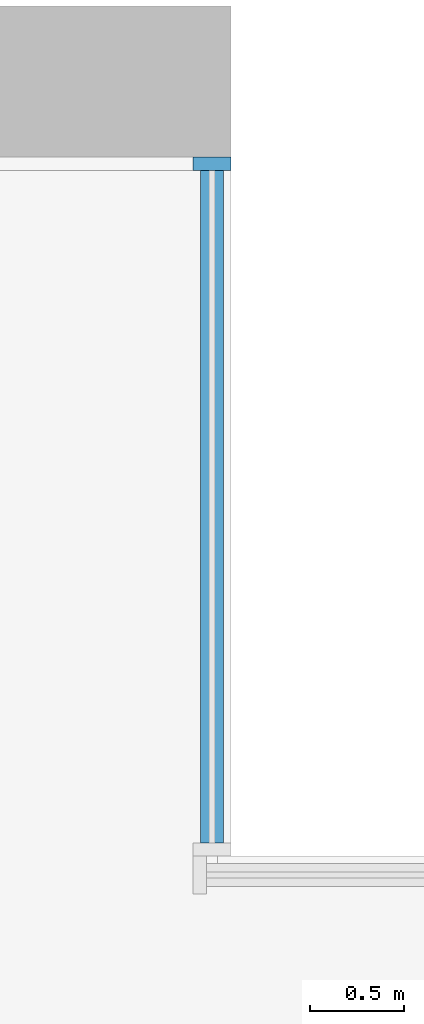
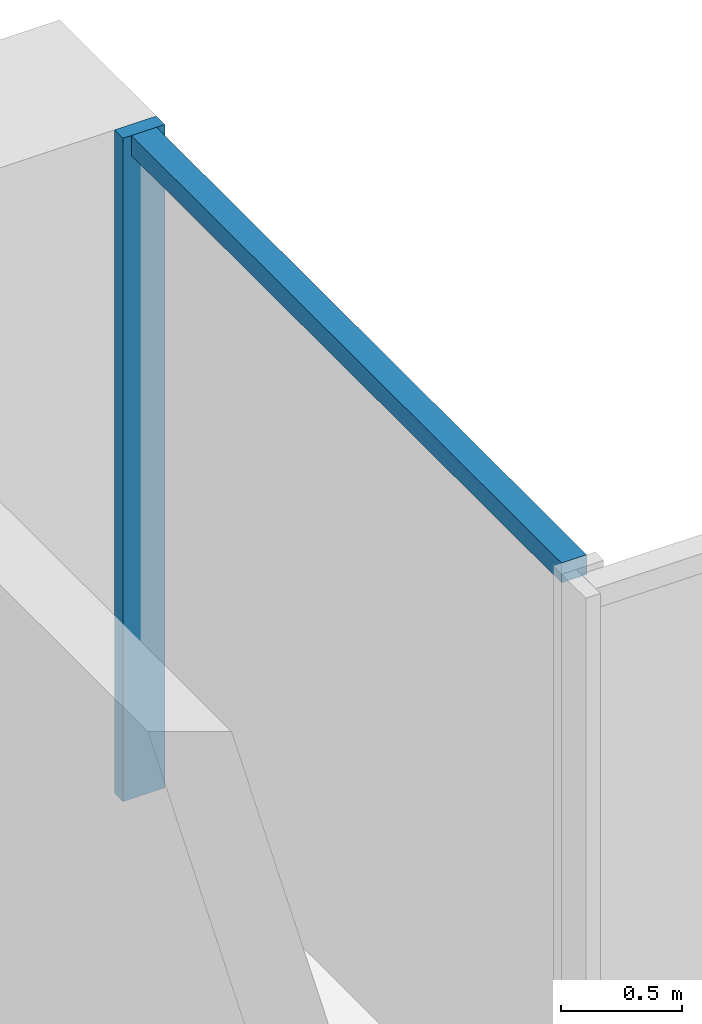
# One storey, part 6 of 15: 2 members, 1 element without a shape of its own.
"""IFC4 building model written with IfcOpenShell, lengths in metres."""

from ifc_helpers import new_model, si_unit, direction, frame, origin, origin_2d, place, context, subcontext, project, spatial, rectangle, extrude, material, material_profile, profile_set, type_object, element, aggregate, save


model = new_model("IFC4")

# Units and contexts
model_context = context("Model", 3, precision=1e-05, world=origin(), true_north=direction((0.0, 1.0)))
body_context = subcontext(model_context, "Body", "Model", "MODEL_VIEW")
ifc_project = project(units=[si_unit("LENGTHUNIT", "METRE"), si_unit("AREAUNIT", "SQUARE_METRE"), si_unit("VOLUMEUNIT", "CUBIC_METRE"), si_unit("PLANEANGLEUNIT", "RADIAN"), si_unit("MASSUNIT", "GRAM", prefix="KILO")], contexts=[model_context])

# Site, building, storey
site_placement = place(None, origin())
site = spatial("IfcSite", under=ifc_project, at=site_placement, CompositionType="ELEMENT")
building_placement = place(site_placement, origin())
building = spatial("IfcBuilding", under=site, at=building_placement, Name="Calvaro Tower", CompositionType="ELEMENT")
storey_placement = place(building_placement, frame((0.0, 0.0, 110.0)))
storey = spatial("IfcBuildingStorey", under=building, at=storey_placement, Name="L27", CompositionType="ELEMENT", Elevation=110.0)

# Curtain wall, members
ifc_material_1 = material(Name="Anodised aluminium", Category="aluminium")
curtain_wall_type = type_object("IfcCurtainWallType", Name="Office curtain wall, middle zone", PredefinedType="NOTDEFINED", material=ifc_material_1)
curtain_wall_placement = place(storey_placement, origin())
curtain_wall = element("IfcCurtainWall", 1, at=curtain_wall_placement, inside=storey, type_object=curtain_wall_type, Name="CW2 corner curtain wall", PredefinedType="NOTDEFINED")
ifc_material_2 = material(Name="Anodised aluminium", Category="aluminium")
ifc_material_profile_1 = material_profile(ifc_material_2, rectangle(XDim=0.199951171875, YDim=0.070068359375, at=origin_2d()), Name="Mullion S2 70 x 200")
ifc_profile_set_1 = profile_set([ifc_material_profile_1], Name="Anodised aluminium")
member_type_1 = type_object("IfcMemberType", Name="Mullion S2 70 x 200", PredefinedType="MULLION", material=ifc_profile_set_1)
member_1_placement = place(storey_placement, frame((66.35009765625, 45.1650390625, 0.0), z_axis=(0.0, 0.0, 1.0), x_axis=(-1.0, 0.0, 0.0)))
member_1 = element("IfcMember", 2, at=member_1_placement, type_object=member_type_1, Name="CW2 mullion 2", PredefinedType="MULLION", context=body_context, shape_type="SweptSolid", body=[
    extrude(rectangle(XDim=0.199951171875, YDim=0.070068359375, at=origin_2d()), origin(), (0.0, 0.0, 1.0), 3.35009765625),
])
ifc_material_3 = material(Name="Anodised aluminium", Category="aluminium")
ifc_material_profile_2 = material_profile(ifc_material_3, rectangle(XDim=0.1201171875, YDim=0.10009765625, at=origin_2d()), Name="Transom S2 100 x 120")
ifc_profile_set_2 = profile_set([ifc_material_profile_2], Name="Anodised aluminium")
member_type_2 = type_object("IfcMemberType", Name="Transom S2 100 x 120", PredefinedType="USERDEFINED", material=ifc_profile_set_2)
member_2_placement = place(storey_placement, frame((66.35009765625, 41.570068359375, 3.300048828125), z_axis=(0.0, 1.0, 0.0), x_axis=(-1.0, 0.0, 0.0)))
member_2 = element("IfcMember", 3, at=member_2_placement, type_object=member_type_2, Name="CW2 transom 1.1", ObjectType="TRANSOM", PredefinedType="USERDEFINED", context=body_context, shape_type="SweptSolid", body=[
    extrude(rectangle(XDim=0.1201171875, YDim=0.10009765625, at=origin_2d()), origin(), (0.0, 0.0, 1.0), 3.559814453125),
])
aggregate(curtain_wall, [member_1, member_2])

save(model, "model.ifc")
